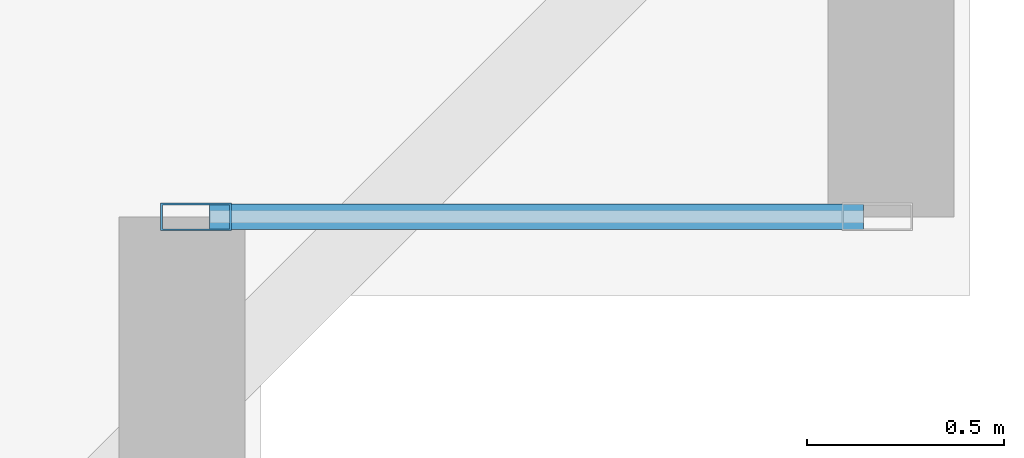
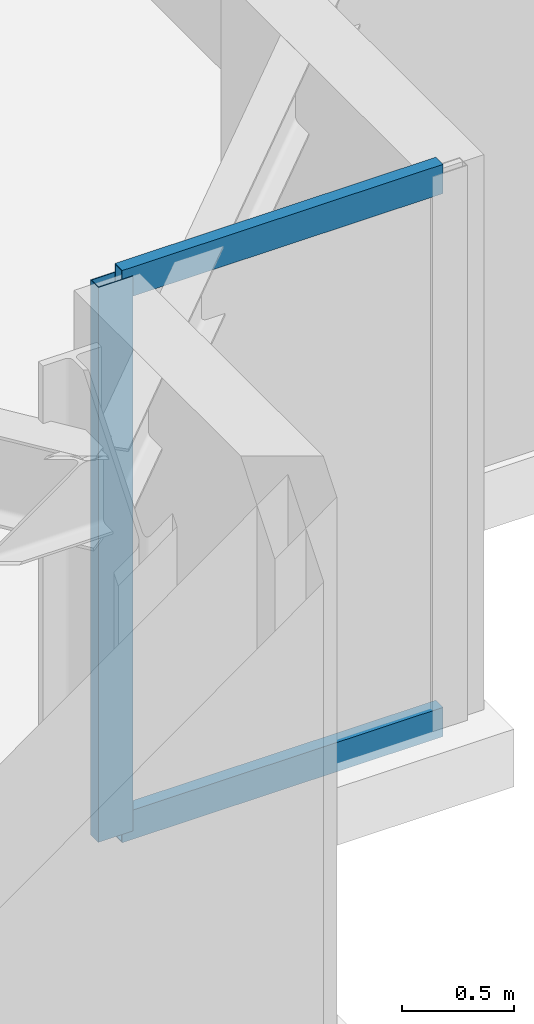
# One storey, part 6 of 20: 3 members, 1 element without a shape of its own.
"""IFC4 building model written with IfcOpenShell, lengths in metres."""

import ifcopenshell
import ifcopenshell.guid

model = None  # the IFC model being written
_history = None  # IfcOwnerHistory: only IFC2X3 demands one
_inside = {}  # id of a spatial element -> (the spatial element, [elements in it])
_under = {}  # id of a project, library or spatial element -> (it, [spatial elements below it])
_declared = {}  # id of a project -> (the project, [libraries it declares])
_typed = {}  # id of a type object -> (the type object, [elements of that type])
_made_of = {}  # id of a material, layer set ... -> (it, [elements and type objects made of it])


def new_model(schema):
    """Start an empty IFC model of exactly this schema.

    Asked for "IFC4X3", IfcOpenShell would pick the latest addendum, in which some entities
    have other attributes; the version numbers below select the first issue.
    IFC2X3 requires an IfcOwnerHistory on every rooted entity: one is made here for all.
    """
    global model, _history
    if schema == "IFC4X3":
        model = ifcopenshell.file(schema_version=(4, 3, 0, 0))
    else:
        model = ifcopenshell.file(schema=schema)
    _inside.clear()
    _under.clear()
    _declared.clear()
    _typed.clear()
    _made_of.clear()
    _history = None
    if model.schema == "IFC2X3":
        org = make("IfcOrganization", Name="unknown")
        user = make(
            "IfcPersonAndOrganization",
            ThePerson=make("IfcPerson", FamilyName="unknown"),
            TheOrganization=org,
        )
        app = make(
            "IfcApplication",
            ApplicationDeveloper=org,
            Version="unknown",
            ApplicationFullName="unknown",
            ApplicationIdentifier="unknown",
        )
        _history = make(
            "IfcOwnerHistory",
            OwningUser=user,
            OwningApplication=app,
            ChangeAction="ADDED",
            CreationDate=0,
        )
    return model


def make(cls, **values):
    """One entity of the class cls with the attributes given. An attribute that is None is left unset."""
    return model.create_entity(
        cls, **{name: value for name, value in values.items() if value is not None}
    )


def rooted(cls, **values):
    """An entity with a GlobalId (a new one), such as an element, a storey or a relation."""
    return make(cls, GlobalId=ifcopenshell.guid.new(), OwnerHistory=_history, **values)


def si_unit(unit_type, name, prefix=None):
    """IfcSIUnit, for example si_unit("LENGTHUNIT", "METRE", prefix="MILLI")."""
    return make("IfcSIUnit", UnitType=unit_type, Prefix=prefix, Name=name)


def assignment(units):
    """IfcUnitAssignment: the units of a project."""
    return None if units is None else make("IfcUnitAssignment", Units=units)


def point(xyz):
    """IfcCartesianPoint."""
    return None if xyz is None else make("IfcCartesianPoint", Coordinates=xyz)


def direction(xyz):
    """IfcDirection."""
    return None if xyz is None else make("IfcDirection", DirectionRatios=xyz)


def frame(location, z_axis=None, x_axis=None):
    """IfcAxis2Placement3D, a coordinate frame: its origin and axes. An axis left out is left unset."""
    return make(
        "IfcAxis2Placement3D",
        Location=point(location),
        Axis=direction(z_axis),
        RefDirection=direction(x_axis),
    )


def frame_2d(location, x_axis=None):
    """IfcAxis2Placement2D, a coordinate frame in the plane: its origin and x axis."""
    return make(
        "IfcAxis2Placement2D", Location=point(location), RefDirection=direction(x_axis)
    )


def origin():
    """The frame at (0, 0, 0) with its axes left unset."""
    return frame((0.0, 0.0, 0.0))


def origin_2d():
    """The frame at (0, 0) in the plane with its x axis left unset."""
    return frame_2d((0.0, 0.0))


def place(relative_to, where):
    """IfcLocalPlacement: puts the frame where relative to a parent placement (None: the world)."""
    return make(
        "IfcLocalPlacement", PlacementRelTo=relative_to, RelativePlacement=where
    )


def context(
    kind, dimensions, precision=None, world=None, true_north=None, identifier=None
):
    """IfcGeometricRepresentationContext, for example the 3D "Model" context."""
    return make(
        "IfcGeometricRepresentationContext",
        ContextIdentifier=identifier,
        ContextType=kind,
        CoordinateSpaceDimension=dimensions,
        Precision=precision,
        WorldCoordinateSystem=world,
        TrueNorth=true_north,
    )


def subcontext(parent, identifier, kind, view, scale=None):
    """IfcGeometricRepresentationSubContext, for example "Body" below "Model"."""
    return make(
        "IfcGeometricRepresentationSubContext",
        ContextIdentifier=identifier,
        ContextType=kind,
        ParentContext=parent,
        TargetScale=scale,
        TargetView=view,
    )


def project(units=None, contexts=None):
    """IfcProject with its units and contexts."""
    return rooted(
        "IfcProject",
        Name="project",
        RepresentationContexts=contexts,
        UnitsInContext=assignment(units),
    )


def spatial(cls, under=None, at=None, **own):
    """A site, building, storey or space (cls), placed at a placement, below another one or the project."""
    s = rooted(cls, ObjectPlacement=at, **own)
    if under is not None:
        _under.setdefault(under.id(), (under, []))[1].append(s)
    return s


def profile(cls, at=None, kind="AREA", **sizes):
    """A parametric profile (cls). Its sizes go by their IFC names, for example OverallWidth=200.0."""
    return make(cls, ProfileType=kind, Position=at, **sizes)


def hollow_rectangle(**sizes):
    """IfcRectangleHollowProfileDef."""
    return profile("IfcRectangleHollowProfileDef", **sizes)


def extrude(swept, where, along, depth):
    """IfcExtrudedAreaSolid: the profile swept, set in the frame where, extruded along a direction by depth."""
    return make(
        "IfcExtrudedAreaSolid",
        SweptArea=swept,
        Position=where,
        ExtrudedDirection=direction(along),
        Depth=depth,
    )


def shape(context_of_items, identifier, shape_type, items):
    """IfcShapeRepresentation: the items that make up one representation, for example the "Body"."""
    return make(
        "IfcShapeRepresentation",
        ContextOfItems=context_of_items,
        RepresentationIdentifier=identifier,
        RepresentationType=shape_type,
        Items=items,
    )


def material(Name=None, Category=None):
    """IfcMaterial."""
    return make("IfcMaterial", Name=Name, Category=Category)


def layer(
    of_material, thickness, ventilated=None, Name=None, Category=None, Priority=None
):
    """IfcMaterialLayer: one layer of a wall or slab, of a material (None: an air gap)."""
    return make(
        "IfcMaterialLayer",
        Material=of_material,
        LayerThickness=thickness,
        IsVentilated=ventilated,
        Name=Name,
        Category=Category,
        Priority=Priority,
    )


def layer_set(layers, Name=None):
    """IfcMaterialLayerSet."""
    return make("IfcMaterialLayerSet", MaterialLayers=layers, LayerSetName=Name)


def material_profile(
    of_material, cross_section, Name=None, Category=None, Priority=None
):
    """IfcMaterialProfile: a cross section and its material."""
    return make(
        "IfcMaterialProfile",
        Name=Name,
        Material=of_material,
        Profile=cross_section,
        Priority=Priority,
        Category=Category,
    )


def profile_set(profiles, Name=None, composite=None):
    """IfcMaterialProfileSet."""
    return make(
        "IfcMaterialProfileSet",
        Name=Name,
        MaterialProfiles=profiles,
        CompositeProfile=composite,
    )


def made_of(thing, what):
    """Note that an element or type object is made of a material, layer set ...; save() writes the relation."""
    if what is not None:
        _made_of.setdefault(what.id(), (what, []))[1].append(thing)
    return thing


def type_object(cls, material=None, **own):
    """A type object (cls), such as IfcWallType, which elements share."""
    return made_of(rooted(cls, **own), material)


def element(
    cls,
    number,
    at=None,
    inside=None,
    cuts=None,
    type_object=None,
    material=None,
    context=None,
    identifier="Body",
    shape_type=None,
    held_by="IfcProductDefinitionShape",
    body=None,
    shapes=None,
    **own,
):
    """One element of the class cls, such as IfcWall. Its Tag is "e" and its number.

    at: its placement. inside: the storey or other place that contains it. cuts: it is an
    opening in that element (IfcRelVoidsElement). A single representation is given by context,
    identifier, shape_type and body (its items); several are given by shapes. held_by: the class
    of the entity that holds the representations. save() writes the other relations.
    """
    e = rooted(cls, Tag="e%d" % number, ObjectPlacement=at, **own)
    if body is not None:
        shapes = [shape(context, identifier, shape_type, body)]
    if shapes is not None:
        e.Representation = make(held_by, Representations=shapes)
    if inside is not None:
        _inside.setdefault(inside.id(), (inside, []))[1].append(e)
    if cuts is not None:
        rooted(
            "IfcRelVoidsElement", RelatingBuildingElement=cuts, RelatedOpeningElement=e
        )
    if type_object is not None:
        _typed.setdefault(type_object.id(), (type_object, []))[1].append(e)
    return made_of(e, material)


def aggregate(whole, parts):
    """IfcRelAggregates: a whole, such as a stair, and the parts it consists of."""
    return rooted("IfcRelAggregates", RelatingObject=whole, RelatedObjects=parts)


def save(model, path):
    """Write the relations noted so far, then the file.

    IfcRelAggregates (storeys below a building ...), IfcRelContainedInSpatialStructure (elements
    in a storey), IfcRelDefinesByType, IfcRelAssociatesMaterial and IfcRelDeclares: one each for
    every whole, place, type object, material and project.
    """
    for whole, parts in _under.values():
        aggregate(whole, parts)
    for where, things in _inside.values():
        rooted(
            "IfcRelContainedInSpatialStructure",
            RelatedElements=things,
            RelatingStructure=where,
        )
    for kind, things in _typed.values():
        rooted("IfcRelDefinesByType", RelatedObjects=things, RelatingType=kind)
    for what, things in _made_of.values():
        rooted("IfcRelAssociatesMaterial", RelatedObjects=things, RelatingMaterial=what)
    for by, libraries in _declared.values():
        rooted("IfcRelDeclares", RelatingContext=by, RelatedDefinitions=libraries)
    model.write(path)


model = new_model("IFC4")

# Units and contexts
model_context = context("Model", 3, precision=1e-05, world=origin(), true_north=direction((0.0, 1.0)))
body_context = subcontext(model_context, "Body", "Model", "MODEL_VIEW")
ifc_project = project(units=[si_unit("LENGTHUNIT", "METRE"), si_unit("AREAUNIT", "SQUARE_METRE"), si_unit("VOLUMEUNIT", "CUBIC_METRE"), si_unit("PLANEANGLEUNIT", "RADIAN"), si_unit("MASSUNIT", "GRAM", prefix="KILO")], contexts=[model_context])

# Site, building, storey
site_placement = place(None, origin())
site = spatial("IfcSite", under=ifc_project, at=site_placement, CompositionType="ELEMENT")
building_placement = place(site_placement, origin())
building = spatial("IfcBuilding", under=site, at=building_placement, Name="Qobustan Lattice House", CompositionType="ELEMENT")
storey_placement = place(building_placement, frame((0.0, 0.0, 67.199951171875)))
storey = spatial("IfcBuildingStorey", under=building, at=storey_placement, Name="L18", CompositionType="ELEMENT", Elevation=67.199951171875)

# Curtain wall, members
ifc_material_1 = material(Name="Anodised aluminium and low-E glazing", Category="aluminium")
ifc_layer = layer(ifc_material_1, 0.219970703125)
ifc_layer_set = layer_set([ifc_layer], Name="Anodised aluminium and low-E glazing")
curtain_wall_type = type_object("IfcCurtainWallType", Name="CW-FAC-01", PredefinedType="USERDEFINED", material=ifc_layer_set)
curtain_wall_placement = place(storey_placement, origin())
curtain_wall = element("IfcCurtainWall", 1, at=curtain_wall_placement, inside=storey, type_object=curtain_wall_type, Name="L18 serrated corner faceted glazing 18", ObjectType="CURTAIN WALL", PredefinedType="USERDEFINED")
ifc_material_2 = material(Name="Anodised aluminium EN AW-6063 T6", Category="aluminium")
ifc_material_profile_1 = material_profile(ifc_material_2, hollow_rectangle(XDim=0.070068359375, YDim=0.179931640625, WallThickness=0.00439453125, at=origin_2d()), Name="CWM-180x70")
ifc_profile_set_1 = profile_set([ifc_material_profile_1], Name="Anodised aluminium EN AW-6063 T6")
member_type_1 = type_object("IfcMemberType", Name="CWM-STD-180", PredefinedType="MULLION", material=ifc_profile_set_1)
member_1_placement = place(storey_placement, frame((29.235107421875, -17.60009765625, 0.0), z_axis=(0.0, 0.0, 1.0), x_axis=(0.0, -1.0, 0.0)))
member_1 = element("IfcMember", 2, at=member_1_placement, type_object=member_type_1, Name="CW-F1 mullion 2", PredefinedType="MULLION", context=body_context, shape_type="SweptSolid", body=[
    extrude(hollow_rectangle(XDim=0.070068359375, YDim=0.179931640625, WallThickness=0.00439453125, at=origin_2d()), origin(), (0.0, 0.0, 1.0), 3.03515625),
])
ifc_material_3 = material(Name="Anodised aluminium EN AW-6063 T6", Category="aluminium")
ifc_material_profile_2 = material_profile(ifc_material_3, hollow_rectangle(XDim=0.06494140625, YDim=0.159912109375, WallThickness=0.00390625, at=origin_2d()), Name="CWT-160x65")
ifc_profile_set_2 = profile_set([ifc_material_profile_2], Name="Anodised aluminium EN AW-6063 T6")
member_type_2 = type_object("IfcMemberType", Name="CWT-HOR-160", PredefinedType="USERDEFINED", material=ifc_profile_set_2)
member_2_placement = place(storey_placement, frame((30.929931640625, -17.60009765625, 0.032470703125), z_axis=(-1.0, 0.0, 0.0), x_axis=(0.0, -1.0, 0.0)))
member_2 = element("IfcMember", 3, at=member_2_placement, type_object=member_type_2, Name="CW-F1 transom 1.1", ObjectType="TRANSOM", PredefinedType="USERDEFINED", context=body_context, shape_type="SweptSolid", body=[
    extrude(hollow_rectangle(XDim=0.06494140625, YDim=0.159912109375, WallThickness=0.00390625, at=origin_2d()), origin(), (0.0, 0.0, 1.0), 1.659912109375),
])
member_3_placement = place(storey_placement, frame((30.929931640625, -17.60009765625, 3.00244140625), z_axis=(-1.0, 0.0, 0.0), x_axis=(0.0, -1.0, 0.0)))
member_3 = element("IfcMember", 4, at=member_3_placement, type_object=member_type_2, Name="CW-F1 transom 1.2", ObjectType="TRANSOM", PredefinedType="USERDEFINED", context=body_context, shape_type="SweptSolid", body=[
    extrude(hollow_rectangle(XDim=0.06494140625, YDim=0.159912109375, WallThickness=0.00390625, at=origin_2d()), origin(), (0.0, 0.0, 1.0), 1.659912109375),
])
aggregate(curtain_wall, [member_1, member_2, member_3])

save(model, "model.ifc")
